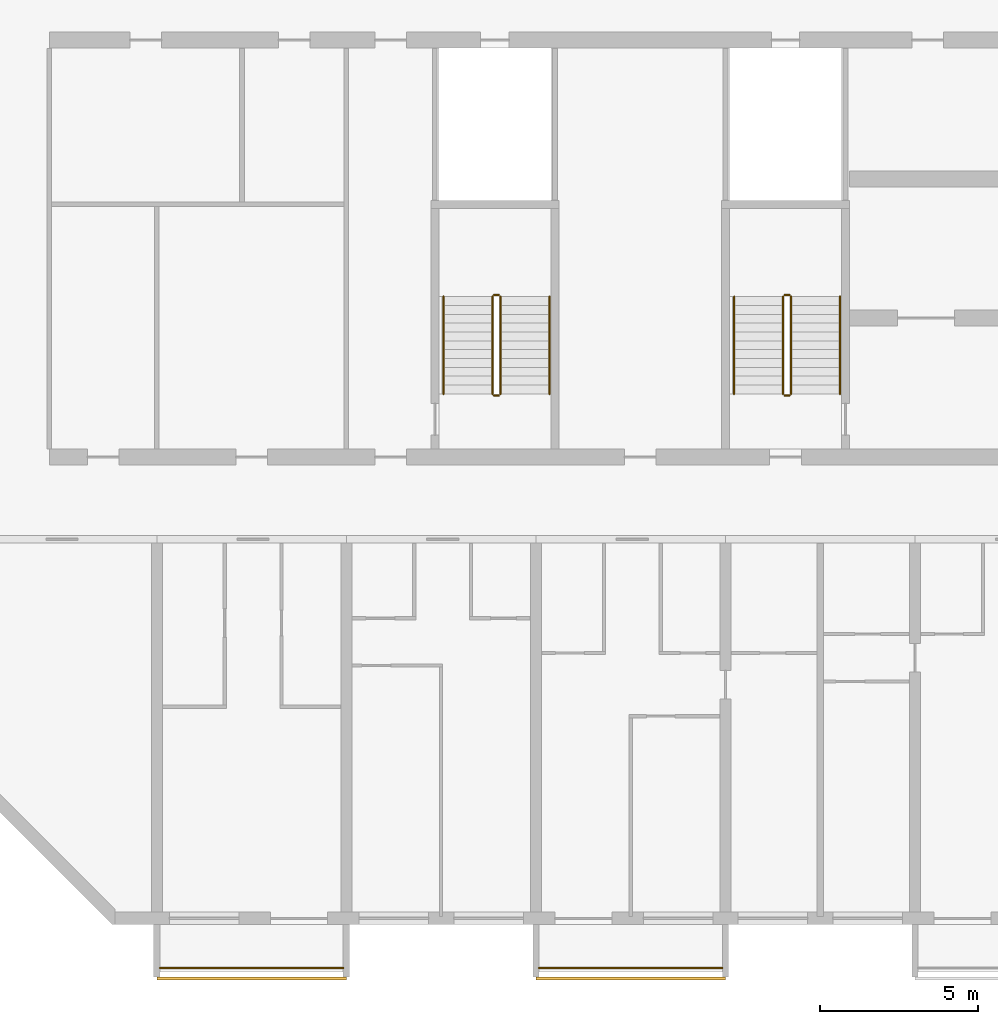
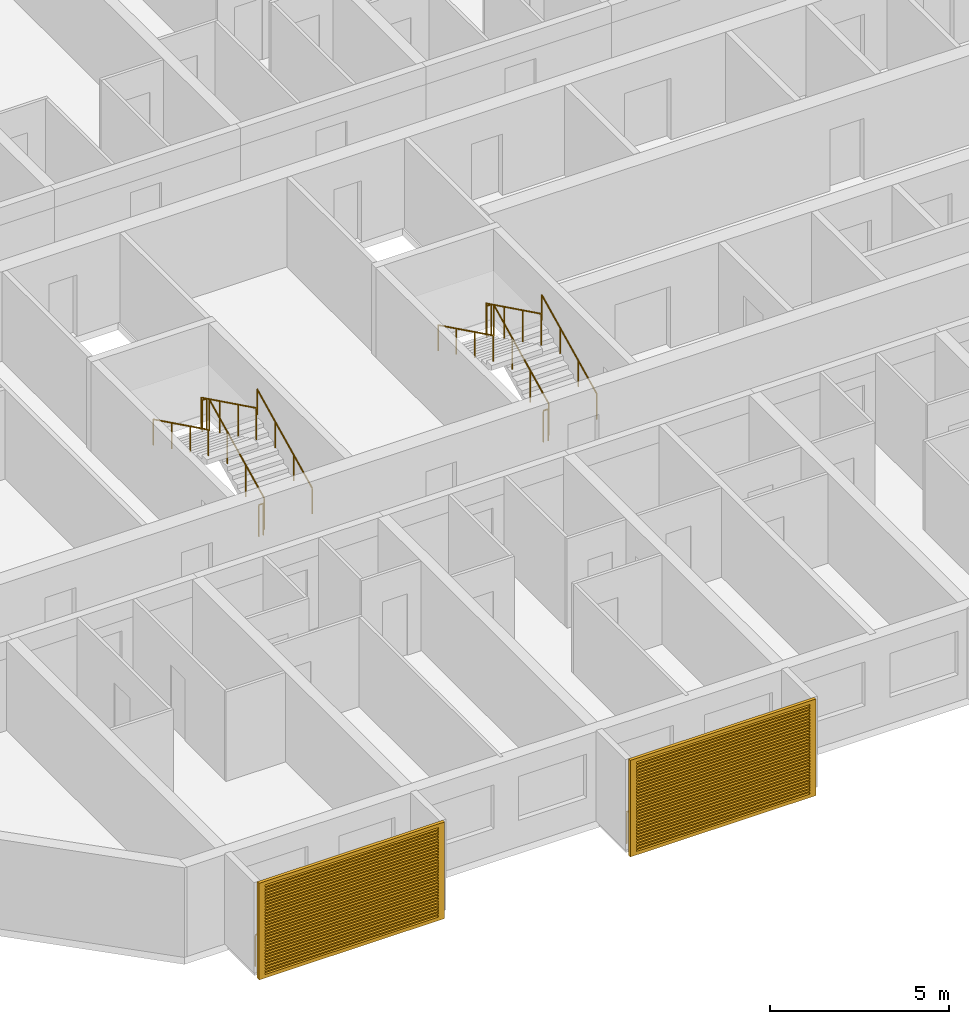
# One storey, part 18 of 25: 14 railings, 2 shading devices.
"""IFC4 building model written with IfcOpenShell, lengths in metres."""

from ifc_helpers import new_model, si_unit, direction, frame, origin, origin_2d, place, context, subcontext, project, spatial, polyline, circle, outline, extrude, source, transform, mapped, material, material_profile, profile_set, type_object, element, save


model = new_model("IFC4")

# Units and contexts
model_context = context("Model", 3, precision=1e-05, world=origin(), true_north=direction((0.0, 1.0)))
body_context = subcontext(model_context, "Body", "Model", "MODEL_VIEW")
ifc_project = project(units=[si_unit("LENGTHUNIT", "METRE"), si_unit("AREAUNIT", "SQUARE_METRE"), si_unit("VOLUMEUNIT", "CUBIC_METRE"), si_unit("PLANEANGLEUNIT", "RADIAN"), si_unit("MASSUNIT", "GRAM", prefix="KILO")], contexts=[model_context])

# Site, building, storey
site_placement = place(None, origin())
site = spatial("IfcSite", under=ifc_project, at=site_placement, CompositionType="ELEMENT")
building_placement = place(site_placement, origin())
building = spatial("IfcBuilding", under=site, at=building_placement, Name="Poui Terraces", CompositionType="ELEMENT")
storey_placement = place(building_placement, frame((0.0, 0.0, 89.39990234375)))
storey = spatial("IfcBuildingStorey", under=building, at=storey_placement, Name="L24", CompositionType="ELEMENT", Elevation=89.39990234375)

# Railings
ifc_material_1 = material(Name="Painted steel fretwork", Category="steel")
railing_type_1 = type_object("IfcRailingType", Name="BALCONY GUARD 1100", PredefinedType="GUARDRAIL", material=ifc_material_1)
for number, where, name in (
    (1, (12.10009765625, -1.570068359375, 0.0), "BALCONY GUARD"),
    (2, (24.10009765625, -1.570068359375, 0.0), "BALCONY GUARD"),
):
    element("IfcRailing", number, at=place(storey_placement, frame(where)), inside=storey, type_object=railing_type_1, Name=name, PredefinedType="GUARDRAIL", context=body_context, shape_type="SweptSolid", body=[
        extrude(circle(Radius=0.02392578125, at=origin_2d()), frame((0.0, 0.0, 1.076171875), z_axis=(1.0, 0.0, 0.0), x_axis=(0.0, 1.0, 0.0)), (0.0, 0.0, 1.0), 5.7998046875),
        extrude(circle(Radius=0.02099609375, at=origin_2d()), origin(), (0.0, 0.0, 1.0), 1.052001953125),
        extrude(circle(Radius=0.02099609375, at=origin_2d()), frame((0.966552734375, 0.0, 0.0)), (0.0, 0.0, 1.0), 1.052001953125),
        extrude(circle(Radius=0.02099609375, at=origin_2d()), frame((1.933349609375, 0.0, 0.0)), (0.0, 0.0, 1.0), 1.052001953125),
        extrude(circle(Radius=0.02099609375, at=origin_2d()), frame((2.89990234375, 0.0, 0.0)), (0.0, 0.0, 1.0), 1.052001953125),
        extrude(circle(Radius=0.02099609375, at=origin_2d()), frame((3.866455078125, 0.0, 0.0)), (0.0, 0.0, 1.0), 1.052001953125),
        extrude(circle(Radius=0.02099609375, at=origin_2d()), frame((4.833251953125, 0.0, 0.0)), (0.0, 0.0, 1.0), 1.052001953125),
        extrude(circle(Radius=0.02099609375, at=origin_2d()), frame((5.7998046875, 0.0, 0.0)), (0.0, 0.0, 1.0), 1.052001953125),
    ])
ifc_material_2 = material(Name="Galvanised steel balustrade", Category="steel")
railing_type_2 = type_object("IfcRailingType", Name="STAIR GUARD 1100", PredefinedType="GUARDRAIL", material=ifc_material_2)
railing_1_placement = place(storey_placement, frame((32.074951171875, 16.60009765625, 0.1376953125)))
element("IfcRailing", 3, at=railing_1_placement, inside=storey, type_object=railing_type_2, Name="L24 ST-CW stair guard 1", PredefinedType="GUARDRAIL", context=body_context, shape_type="SweptSolid", body=[
    extrude(circle(Radius=0.02392578125, at=origin_2d()), frame((0.0, 0.0, 1.076171875), z_axis=(0.0, 0.897606190399, 0.440798283751), x_axis=(-1.0, 0.0, 0.0)), (0.0, 0.0, 1.0), 3.43115234375),
    extrude(circle(Radius=0.02099609375, at=origin_2d()), origin(), (0.0, 0.0, 1.0), 1.052001953125),
    extrude(circle(Radius=0.02099609375, at=origin_2d()), frame((0.0, 1.026611328125, 0.504150390625)), (0.0, 0.0, 1.0), 1.052001953125),
    extrude(circle(Radius=0.02099609375, at=origin_2d()), frame((0.0, 2.05322265625, 1.00830078125)), (0.0, 0.0, 1.0), 1.052001953125),
    extrude(circle(Radius=0.02099609375, at=origin_2d()), frame((0.0, 3.079833984375, 1.512451171875)), (0.0, 0.0, 1.0), 1.052001953125),
])
railing_2_placement = place(storey_placement, frame((32.02490234375, 19.72998046875, 1.650146484375)))
element("IfcRailing", 4, at=railing_2_placement, inside=storey, type_object=railing_type_2, Name="L24 ST-CW stair guard 2", PredefinedType="GUARDRAIL", context=body_context, shape_type="SweptSolid", body=[
    extrude(circle(Radius=0.02392578125, at=origin_2d()), frame((0.0, 0.0, 1.076171875), z_axis=(-1.0, 0.0, 0.0), x_axis=(0.0, -1.0, 0.0)), (0.0, 0.0, 1.0), 0.14990234375),
    extrude(circle(Radius=0.02099609375, at=origin_2d()), origin(), (0.0, 0.0, 1.0), 1.052001953125),
    extrude(circle(Radius=0.02099609375, at=origin_2d()), frame((-0.14990234375, 0.0, 0.0)), (0.0, 0.0, 1.0), 1.052001953125),
])
railing_3_placement = place(storey_placement, frame((31.824951171875, 19.679931640625, 1.78759765625)))
element("IfcRailing", 5, at=railing_3_placement, inside=storey, type_object=railing_type_2, Name="L24 ST-CW stair guard 3", PredefinedType="GUARDRAIL", context=body_context, shape_type="SweptSolid", body=[
    extrude(circle(Radius=0.02392578125, at=origin_2d()), frame((0.0, 0.0, 1.076171875), z_axis=(0.0, -0.897606190399, 0.440798283751), x_axis=(1.0, 0.0, 0.0)), (0.0, 0.0, 1.0), 3.43115234375),
    extrude(circle(Radius=0.02099609375, at=origin_2d()), origin(), (0.0, 0.0, 1.0), 1.052001953125),
    extrude(circle(Radius=0.02099609375, at=origin_2d()), frame((0.0, -1.026611328125, 0.504150390625)), (0.0, 0.0, 1.0), 1.052001953125),
    extrude(circle(Radius=0.02099609375, at=origin_2d()), frame((0.0, -2.05322265625, 1.00830078125)), (0.0, 0.0, 1.0), 1.052001953125),
    extrude(circle(Radius=0.02099609375, at=origin_2d()), frame((0.0, -3.079833984375, 1.512451171875)), (0.0, 0.0, 1.0), 1.052001953125),
])
railing_4_placement = place(storey_placement, frame((32.02490234375, 16.550048828125, 0.0)))
element("IfcRailing", 6, at=railing_4_placement, inside=storey, type_object=railing_type_2, Name="L24 ST-CW stair guard 4", PredefinedType="GUARDRAIL", context=body_context, shape_type="SweptSolid", body=[
    extrude(circle(Radius=0.02392578125, at=origin_2d()), frame((0.0, 0.0, 1.076171875), z_axis=(-1.0, 0.0, 0.0), x_axis=(0.0, -1.0, 0.0)), (0.0, 0.0, 1.0), 0.14990234375),
    extrude(circle(Radius=0.02099609375, at=origin_2d()), origin(), (0.0, 0.0, 1.0), 1.052001953125),
    extrude(circle(Radius=0.02099609375, at=origin_2d()), frame((-0.14990234375, 0.0, 0.0)), (0.0, 0.0, 1.0), 1.052001953125),
])
railing_5_placement = place(storey_placement, frame((22.875, 16.60009765625, 0.1376953125)))
element("IfcRailing", 7, at=railing_5_placement, inside=storey, type_object=railing_type_2, Name="L24 ST-W stair guard 1", PredefinedType="GUARDRAIL", context=body_context, shape_type="SweptSolid", body=[
    extrude(circle(Radius=0.02392578125, at=origin_2d()), frame((0.0, 0.0, 1.076171875), z_axis=(0.0, 0.897606190399, 0.440798283751), x_axis=(-1.0, 0.0, 0.0)), (0.0, 0.0, 1.0), 3.43115234375),
    extrude(circle(Radius=0.02099609375, at=origin_2d()), origin(), (0.0, 0.0, 1.0), 1.052001953125),
    extrude(circle(Radius=0.02099609375, at=origin_2d()), frame((0.0, 1.026611328125, 0.504150390625)), (0.0, 0.0, 1.0), 1.052001953125),
    extrude(circle(Radius=0.02099609375, at=origin_2d()), frame((0.0, 2.05322265625, 1.00830078125)), (0.0, 0.0, 1.0), 1.052001953125),
    extrude(circle(Radius=0.02099609375, at=origin_2d()), frame((0.0, 3.079833984375, 1.512451171875)), (0.0, 0.0, 1.0), 1.052001953125),
])
railing_6_placement = place(storey_placement, frame((22.824951171875, 19.72998046875, 1.650146484375)))
element("IfcRailing", 8, at=railing_6_placement, inside=storey, type_object=railing_type_2, Name="L24 ST-W stair guard 2", PredefinedType="GUARDRAIL", context=body_context, shape_type="SweptSolid", body=[
    extrude(circle(Radius=0.02392578125, at=origin_2d()), frame((0.0, 0.0, 1.076171875), z_axis=(-1.0, 0.0, 0.0), x_axis=(0.0, -1.0, 0.0)), (0.0, 0.0, 1.0), 0.14990234375),
    extrude(circle(Radius=0.02099609375, at=origin_2d()), origin(), (0.0, 0.0, 1.0), 1.052001953125),
    extrude(circle(Radius=0.02099609375, at=origin_2d()), frame((-0.14990234375, 0.0, 0.0)), (0.0, 0.0, 1.0), 1.052001953125),
])
railing_7_placement = place(storey_placement, frame((22.625, 19.679931640625, 1.78759765625)))
element("IfcRailing", 9, at=railing_7_placement, inside=storey, type_object=railing_type_2, Name="L24 ST-W stair guard 3", PredefinedType="GUARDRAIL", context=body_context, shape_type="SweptSolid", body=[
    extrude(circle(Radius=0.02392578125, at=origin_2d()), frame((0.0, 0.0, 1.076171875), z_axis=(0.0, -0.897606190399, 0.440798283751), x_axis=(1.0, 0.0, 0.0)), (0.0, 0.0, 1.0), 3.43115234375),
    extrude(circle(Radius=0.02099609375, at=origin_2d()), origin(), (0.0, 0.0, 1.0), 1.052001953125),
    extrude(circle(Radius=0.02099609375, at=origin_2d()), frame((0.0, -1.026611328125, 0.504150390625)), (0.0, 0.0, 1.0), 1.052001953125),
    extrude(circle(Radius=0.02099609375, at=origin_2d()), frame((0.0, -2.05322265625, 1.00830078125)), (0.0, 0.0, 1.0), 1.052001953125),
    extrude(circle(Radius=0.02099609375, at=origin_2d()), frame((0.0, -3.079833984375, 1.512451171875)), (0.0, 0.0, 1.0), 1.052001953125),
])
railing_8_placement = place(storey_placement, frame((22.824951171875, 16.550048828125, 0.0)))
element("IfcRailing", 10, at=railing_8_placement, inside=storey, type_object=railing_type_2, Name="L24 ST-W stair guard 4", PredefinedType="GUARDRAIL", context=body_context, shape_type="SweptSolid", body=[
    extrude(circle(Radius=0.02392578125, at=origin_2d()), frame((0.0, 0.0, 1.076171875), z_axis=(-1.0, 0.0, 0.0), x_axis=(0.0, -1.0, 0.0)), (0.0, 0.0, 1.0), 0.14990234375),
    extrude(circle(Radius=0.02099609375, at=origin_2d()), origin(), (0.0, 0.0, 1.0), 1.052001953125),
    extrude(circle(Radius=0.02099609375, at=origin_2d()), frame((-0.14990234375, 0.0, 0.0)), (0.0, 0.0, 1.0), 1.052001953125),
])
ifc_material_3 = material(Name="Stainless steel handrail", Category="steel")
railing_type_3 = type_object("IfcRailingType", Name="STAIR HANDRAIL 900", PredefinedType="HANDRAIL", material=ifc_material_3)
railing_9_placement = place(storey_placement, frame((33.625, 16.60009765625, 0.1376953125)))
element("IfcRailing", 11, at=railing_9_placement, inside=storey, type_object=railing_type_3, Name="L24 ST-CW stair handrail 1", PredefinedType="HANDRAIL", context=body_context, shape_type="SweptSolid", body=[
    extrude(circle(Radius=0.02392578125, at=origin_2d()), frame((0.0, 0.0, 0.8759765625), z_axis=(0.0, 0.897606190399, 0.440798283751), x_axis=(-1.0, 0.0, 0.0)), (0.0, 0.0, 1.0), 3.43115234375),
    extrude(circle(Radius=0.02099609375, at=origin_2d()), origin(), (0.0, 0.0, 1.0), 0.851806640625),
    extrude(circle(Radius=0.02099609375, at=origin_2d()), frame((0.0, 1.026611328125, 0.504150390625)), (0.0, 0.0, 1.0), 0.851806640625),
    extrude(circle(Radius=0.02099609375, at=origin_2d()), frame((0.0, 2.05322265625, 1.00830078125)), (0.0, 0.0, 1.0), 0.851806640625),
    extrude(circle(Radius=0.02099609375, at=origin_2d()), frame((0.0, 3.079833984375, 1.512451171875)), (0.0, 0.0, 1.0), 0.851806640625),
])
railing_10_placement = place(storey_placement, frame((30.27490234375, 19.679931640625, 1.78759765625)))
element("IfcRailing", 12, at=railing_10_placement, inside=storey, type_object=railing_type_3, Name="L24 ST-CW stair handrail 2", PredefinedType="HANDRAIL", context=body_context, shape_type="SweptSolid", body=[
    extrude(circle(Radius=0.02392578125, at=origin_2d()), frame((0.0, 0.0, 0.8759765625), z_axis=(0.0, -0.897606190399, 0.440798283751), x_axis=(1.0, 0.0, 0.0)), (0.0, 0.0, 1.0), 3.43115234375),
    extrude(circle(Radius=0.02099609375, at=origin_2d()), origin(), (0.0, 0.0, 1.0), 0.851806640625),
    extrude(circle(Radius=0.02099609375, at=origin_2d()), frame((0.0, -1.026611328125, 0.504150390625)), (0.0, 0.0, 1.0), 0.851806640625),
    extrude(circle(Radius=0.02099609375, at=origin_2d()), frame((0.0, -2.05322265625, 1.00830078125)), (0.0, 0.0, 1.0), 0.851806640625),
    extrude(circle(Radius=0.02099609375, at=origin_2d()), frame((0.0, -3.079833984375, 1.512451171875)), (0.0, 0.0, 1.0), 0.851806640625),
])
railing_11_placement = place(storey_placement, frame((24.425048828125, 16.60009765625, 0.1376953125)))
element("IfcRailing", 13, at=railing_11_placement, inside=storey, type_object=railing_type_3, Name="L24 ST-W stair handrail 1", PredefinedType="HANDRAIL", context=body_context, shape_type="SweptSolid", body=[
    extrude(circle(Radius=0.02392578125, at=origin_2d()), frame((0.0, 0.0, 0.8759765625), z_axis=(0.0, 0.897606190399, 0.440798283751), x_axis=(-1.0, 0.0, 0.0)), (0.0, 0.0, 1.0), 3.43115234375),
    extrude(circle(Radius=0.02099609375, at=origin_2d()), origin(), (0.0, 0.0, 1.0), 0.851806640625),
    extrude(circle(Radius=0.02099609375, at=origin_2d()), frame((0.0, 1.026611328125, 0.504150390625)), (0.0, 0.0, 1.0), 0.851806640625),
    extrude(circle(Radius=0.02099609375, at=origin_2d()), frame((0.0, 2.05322265625, 1.00830078125)), (0.0, 0.0, 1.0), 0.851806640625),
    extrude(circle(Radius=0.02099609375, at=origin_2d()), frame((0.0, 3.079833984375, 1.512451171875)), (0.0, 0.0, 1.0), 0.851806640625),
])
railing_12_placement = place(storey_placement, frame((21.074951171875, 19.679931640625, 1.78759765625)))
element("IfcRailing", 14, at=railing_12_placement, inside=storey, type_object=railing_type_3, Name="L24 ST-W stair handrail 2", PredefinedType="HANDRAIL", context=body_context, shape_type="SweptSolid", body=[
    extrude(circle(Radius=0.02392578125, at=origin_2d()), frame((0.0, 0.0, 0.8759765625), z_axis=(0.0, -0.897606190399, 0.440798283751), x_axis=(1.0, 0.0, 0.0)), (0.0, 0.0, 1.0), 3.43115234375),
    extrude(circle(Radius=0.02099609375, at=origin_2d()), origin(), (0.0, 0.0, 1.0), 0.851806640625),
    extrude(circle(Radius=0.02099609375, at=origin_2d()), frame((0.0, -1.026611328125, 0.504150390625)), (0.0, 0.0, 1.0), 0.851806640625),
    extrude(circle(Radius=0.02099609375, at=origin_2d()), frame((0.0, -2.05322265625, 1.00830078125)), (0.0, 0.0, 1.0), 0.851806640625),
    extrude(circle(Radius=0.02099609375, at=origin_2d()), frame((0.0, -3.079833984375, 1.512451171875)), (0.0, 0.0, 1.0), 0.851806640625),
])

# Shading devices
ifc_material_4 = material(Name="Aluminium louvre", Category="aluminium")
ifc_material_profile = material_profile(ifc_material_4, outline(polyline([(-3.0, -1.64990234375), (3.0, -1.64990234375), (3.0, 1.64990234375), (-3.0, 1.64990234375), (-3.0, -1.64990234375)]), holes=[polyline([(-2.800048828125, -1.530029296875), (2.800048828125, -1.530029296875), (2.800048828125, -1.469970703125), (-2.800048828125, -1.469970703125), (-2.800048828125, -1.530029296875)]), polyline([(-2.800048828125, -1.429931640625), (2.800048828125, -1.429931640625), (2.800048828125, -1.3701171875), (-2.800048828125, -1.3701171875), (-2.800048828125, -1.429931640625)]), polyline([(-2.800048828125, -1.330078125), (2.800048828125, -1.330078125), (2.800048828125, -1.27001953125), (-2.800048828125, -1.27001953125), (-2.800048828125, -1.330078125)]), polyline([(-2.800048828125, -1.22998046875), (2.800048828125, -1.22998046875), (2.800048828125, -1.169921875), (-2.800048828125, -1.169921875), (-2.800048828125, -1.22998046875)]), polyline([(-2.800048828125, -1.1298828125), (2.800048828125, -1.1298828125), (2.800048828125, -1.070068359375), (-2.800048828125, -1.070068359375), (-2.800048828125, -1.1298828125)]), polyline([(-2.800048828125, -1.030029296875), (2.800048828125, -1.030029296875), (2.800048828125, -0.969970703125), (-2.800048828125, -0.969970703125), (-2.800048828125, -1.030029296875)]), polyline([(-2.800048828125, -0.929931640625), (2.800048828125, -0.929931640625), (2.800048828125, -0.8701171875), (-2.800048828125, -0.8701171875), (-2.800048828125, -0.929931640625)]), polyline([(-2.800048828125, -0.830078125), (2.800048828125, -0.830078125), (2.800048828125, -0.77001953125), (-2.800048828125, -0.77001953125), (-2.800048828125, -0.830078125)]), polyline([(-2.800048828125, -0.72998046875), (2.800048828125, -0.72998046875), (2.800048828125, -0.669921875), (-2.800048828125, -0.669921875), (-2.800048828125, -0.72998046875)]), polyline([(-2.800048828125, -0.6298828125), (2.800048828125, -0.6298828125), (2.800048828125, -0.570068359375), (-2.800048828125, -0.570068359375), (-2.800048828125, -0.6298828125)]), polyline([(-2.800048828125, -0.530029296875), (2.800048828125, -0.530029296875), (2.800048828125, -0.469970703125), (-2.800048828125, -0.469970703125), (-2.800048828125, -0.530029296875)]), polyline([(-2.800048828125, -0.429931640625), (2.800048828125, -0.429931640625), (2.800048828125, -0.3701171875), (-2.800048828125, -0.3701171875), (-2.800048828125, -0.429931640625)]), polyline([(-2.800048828125, -0.330078125), (2.800048828125, -0.330078125), (2.800048828125, -0.27001953125), (-2.800048828125, -0.27001953125), (-2.800048828125, -0.330078125)]), polyline([(-2.800048828125, -0.22998046875), (2.800048828125, -0.22998046875), (2.800048828125, -0.169921875), (-2.800048828125, -0.169921875), (-2.800048828125, -0.22998046875)]), polyline([(-2.800048828125, -0.1298828125), (2.800048828125, -0.1298828125), (2.800048828125, -0.070068359375), (-2.800048828125, -0.070068359375), (-2.800048828125, -0.1298828125)]), polyline([(-2.800048828125, -0.030029296875), (2.800048828125, -0.030029296875), (2.800048828125, 0.030029296875), (-2.800048828125, 0.030029296875), (-2.800048828125, -0.030029296875)]), polyline([(-2.800048828125, 0.070068359375), (2.800048828125, 0.070068359375), (2.800048828125, 0.1298828125), (-2.800048828125, 0.1298828125), (-2.800048828125, 0.070068359375)]), polyline([(-2.800048828125, 0.169921875), (2.800048828125, 0.169921875), (2.800048828125, 0.22998046875), (-2.800048828125, 0.22998046875), (-2.800048828125, 0.169921875)]), polyline([(-2.800048828125, 0.27001953125), (2.800048828125, 0.27001953125), (2.800048828125, 0.330078125), (-2.800048828125, 0.330078125), (-2.800048828125, 0.27001953125)]), polyline([(-2.800048828125, 0.3701171875), (2.800048828125, 0.3701171875), (2.800048828125, 0.429931640625), (-2.800048828125, 0.429931640625), (-2.800048828125, 0.3701171875)]), polyline([(-2.800048828125, 0.469970703125), (2.800048828125, 0.469970703125), (2.800048828125, 0.530029296875), (-2.800048828125, 0.530029296875), (-2.800048828125, 0.469970703125)]), polyline([(-2.800048828125, 0.570068359375), (2.800048828125, 0.570068359375), (2.800048828125, 0.6298828125), (-2.800048828125, 0.6298828125), (-2.800048828125, 0.570068359375)]), polyline([(-2.800048828125, 0.669921875), (2.800048828125, 0.669921875), (2.800048828125, 0.72998046875), (-2.800048828125, 0.72998046875), (-2.800048828125, 0.669921875)]), polyline([(-2.800048828125, 0.77001953125), (2.800048828125, 0.77001953125), (2.800048828125, 0.830078125), (-2.800048828125, 0.830078125), (-2.800048828125, 0.77001953125)]), polyline([(-2.800048828125, 0.8701171875), (2.800048828125, 0.8701171875), (2.800048828125, 0.929931640625), (-2.800048828125, 0.929931640625), (-2.800048828125, 0.8701171875)]), polyline([(-2.800048828125, 0.969970703125), (2.800048828125, 0.969970703125), (2.800048828125, 1.030029296875), (-2.800048828125, 1.030029296875), (-2.800048828125, 0.969970703125)]), polyline([(-2.800048828125, 1.070068359375), (2.800048828125, 1.070068359375), (2.800048828125, 1.1298828125), (-2.800048828125, 1.1298828125), (-2.800048828125, 1.070068359375)]), polyline([(-2.800048828125, 1.169921875), (2.800048828125, 1.169921875), (2.800048828125, 1.22998046875), (-2.800048828125, 1.22998046875), (-2.800048828125, 1.169921875)]), polyline([(-2.800048828125, 1.27001953125), (2.800048828125, 1.27001953125), (2.800048828125, 1.330078125), (-2.800048828125, 1.330078125), (-2.800048828125, 1.27001953125)]), polyline([(-2.800048828125, 1.3701171875), (2.800048828125, 1.3701171875), (2.800048828125, 1.429931640625), (-2.800048828125, 1.429931640625), (-2.800048828125, 1.3701171875)]), polyline([(-2.800048828125, 1.469970703125), (2.800048828125, 1.469970703125), (2.800048828125, 1.530029296875), (-2.800048828125, 1.530029296875), (-2.800048828125, 1.469970703125)])]), Name="JALOUSIE LOUVRE SHUTTER 6000X3300")
ifc_profile_set = profile_set([ifc_material_profile], Name="Aluminium louvre")
shading_device_type = type_object("IfcShadingDeviceType", Name="JALOUSIE LOUVRE SHUTTER 6000X3300", PredefinedType="JALOUSIE", material=ifc_profile_set)
shared_shape = source(origin(), body_context, "Body", "SweptSolid", [
    extrude(outline(polyline([(-3.0, -1.64990234375), (3.0, -1.64990234375), (3.0, 1.64990234375), (-3.0, 1.64990234375), (-3.0, -1.64990234375)]), holes=[polyline([(-2.800048828125, -1.530029296875), (2.800048828125, -1.530029296875), (2.800048828125, -1.469970703125), (-2.800048828125, -1.469970703125), (-2.800048828125, -1.530029296875)]), polyline([(-2.800048828125, -1.429931640625), (2.800048828125, -1.429931640625), (2.800048828125, -1.3701171875), (-2.800048828125, -1.3701171875), (-2.800048828125, -1.429931640625)]), polyline([(-2.800048828125, -1.330078125), (2.800048828125, -1.330078125), (2.800048828125, -1.27001953125), (-2.800048828125, -1.27001953125), (-2.800048828125, -1.330078125)]), polyline([(-2.800048828125, -1.22998046875), (2.800048828125, -1.22998046875), (2.800048828125, -1.169921875), (-2.800048828125, -1.169921875), (-2.800048828125, -1.22998046875)]), polyline([(-2.800048828125, -1.1298828125), (2.800048828125, -1.1298828125), (2.800048828125, -1.070068359375), (-2.800048828125, -1.070068359375), (-2.800048828125, -1.1298828125)]), polyline([(-2.800048828125, -1.030029296875), (2.800048828125, -1.030029296875), (2.800048828125, -0.969970703125), (-2.800048828125, -0.969970703125), (-2.800048828125, -1.030029296875)]), polyline([(-2.800048828125, -0.929931640625), (2.800048828125, -0.929931640625), (2.800048828125, -0.8701171875), (-2.800048828125, -0.8701171875), (-2.800048828125, -0.929931640625)]), polyline([(-2.800048828125, -0.830078125), (2.800048828125, -0.830078125), (2.800048828125, -0.77001953125), (-2.800048828125, -0.77001953125), (-2.800048828125, -0.830078125)]), polyline([(-2.800048828125, -0.72998046875), (2.800048828125, -0.72998046875), (2.800048828125, -0.669921875), (-2.800048828125, -0.669921875), (-2.800048828125, -0.72998046875)]), polyline([(-2.800048828125, -0.6298828125), (2.800048828125, -0.6298828125), (2.800048828125, -0.570068359375), (-2.800048828125, -0.570068359375), (-2.800048828125, -0.6298828125)]), polyline([(-2.800048828125, -0.530029296875), (2.800048828125, -0.530029296875), (2.800048828125, -0.469970703125), (-2.800048828125, -0.469970703125), (-2.800048828125, -0.530029296875)]), polyline([(-2.800048828125, -0.429931640625), (2.800048828125, -0.429931640625), (2.800048828125, -0.3701171875), (-2.800048828125, -0.3701171875), (-2.800048828125, -0.429931640625)]), polyline([(-2.800048828125, -0.330078125), (2.800048828125, -0.330078125), (2.800048828125, -0.27001953125), (-2.800048828125, -0.27001953125), (-2.800048828125, -0.330078125)]), polyline([(-2.800048828125, -0.22998046875), (2.800048828125, -0.22998046875), (2.800048828125, -0.169921875), (-2.800048828125, -0.169921875), (-2.800048828125, -0.22998046875)]), polyline([(-2.800048828125, -0.1298828125), (2.800048828125, -0.1298828125), (2.800048828125, -0.070068359375), (-2.800048828125, -0.070068359375), (-2.800048828125, -0.1298828125)]), polyline([(-2.800048828125, -0.030029296875), (2.800048828125, -0.030029296875), (2.800048828125, 0.030029296875), (-2.800048828125, 0.030029296875), (-2.800048828125, -0.030029296875)]), polyline([(-2.800048828125, 0.070068359375), (2.800048828125, 0.070068359375), (2.800048828125, 0.1298828125), (-2.800048828125, 0.1298828125), (-2.800048828125, 0.070068359375)]), polyline([(-2.800048828125, 0.169921875), (2.800048828125, 0.169921875), (2.800048828125, 0.22998046875), (-2.800048828125, 0.22998046875), (-2.800048828125, 0.169921875)]), polyline([(-2.800048828125, 0.27001953125), (2.800048828125, 0.27001953125), (2.800048828125, 0.330078125), (-2.800048828125, 0.330078125), (-2.800048828125, 0.27001953125)]), polyline([(-2.800048828125, 0.3701171875), (2.800048828125, 0.3701171875), (2.800048828125, 0.429931640625), (-2.800048828125, 0.429931640625), (-2.800048828125, 0.3701171875)]), polyline([(-2.800048828125, 0.469970703125), (2.800048828125, 0.469970703125), (2.800048828125, 0.530029296875), (-2.800048828125, 0.530029296875), (-2.800048828125, 0.469970703125)]), polyline([(-2.800048828125, 0.570068359375), (2.800048828125, 0.570068359375), (2.800048828125, 0.6298828125), (-2.800048828125, 0.6298828125), (-2.800048828125, 0.570068359375)]), polyline([(-2.800048828125, 0.669921875), (2.800048828125, 0.669921875), (2.800048828125, 0.72998046875), (-2.800048828125, 0.72998046875), (-2.800048828125, 0.669921875)]), polyline([(-2.800048828125, 0.77001953125), (2.800048828125, 0.77001953125), (2.800048828125, 0.830078125), (-2.800048828125, 0.830078125), (-2.800048828125, 0.77001953125)]), polyline([(-2.800048828125, 0.8701171875), (2.800048828125, 0.8701171875), (2.800048828125, 0.929931640625), (-2.800048828125, 0.929931640625), (-2.800048828125, 0.8701171875)]), polyline([(-2.800048828125, 0.969970703125), (2.800048828125, 0.969970703125), (2.800048828125, 1.030029296875), (-2.800048828125, 1.030029296875), (-2.800048828125, 0.969970703125)]), polyline([(-2.800048828125, 1.070068359375), (2.800048828125, 1.070068359375), (2.800048828125, 1.1298828125), (-2.800048828125, 1.1298828125), (-2.800048828125, 1.070068359375)]), polyline([(-2.800048828125, 1.169921875), (2.800048828125, 1.169921875), (2.800048828125, 1.22998046875), (-2.800048828125, 1.22998046875), (-2.800048828125, 1.169921875)]), polyline([(-2.800048828125, 1.27001953125), (2.800048828125, 1.27001953125), (2.800048828125, 1.330078125), (-2.800048828125, 1.330078125), (-2.800048828125, 1.27001953125)]), polyline([(-2.800048828125, 1.3701171875), (2.800048828125, 1.3701171875), (2.800048828125, 1.429931640625), (-2.800048828125, 1.429931640625), (-2.800048828125, 1.3701171875)]), polyline([(-2.800048828125, 1.469970703125), (2.800048828125, 1.469970703125), (2.800048828125, 1.530029296875), (-2.800048828125, 1.530029296875), (-2.800048828125, 1.469970703125)])]), origin(), (0.0, 0.0, 1.0), 0.099853515625),
])
for number, where, z_axis, x_axis, name in (
    (15, (15.0, -1.85009765625, 1.4501953125), (0.0, -1.0, 0.0), (1.0, 0.0, 0.0), "JALOUSIE LOUVRE SHUTTER"),
    (16, (27.0, -1.85009765625, 1.4501953125), (0.0, -1.0, 0.0), (1.0, 0.0, 0.0), "JALOUSIE LOUVRE SHUTTER"),
):
    element("IfcShadingDevice", number, at=place(storey_placement, frame(where, z_axis=z_axis, x_axis=x_axis)), inside=storey, type_object=shading_device_type, Name=name, PredefinedType="JALOUSIE", context=body_context, shape_type="MappedRepresentation", body=[
        mapped(shared_shape, transform((0.0, 0.0, 0.0))),
    ])

save(model, "model.ifc")
